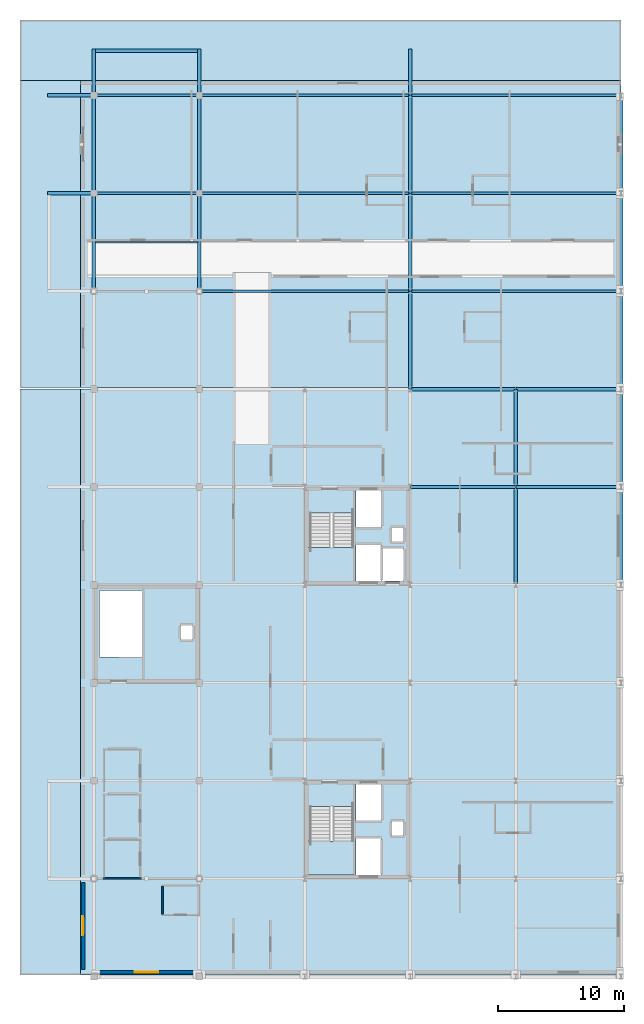
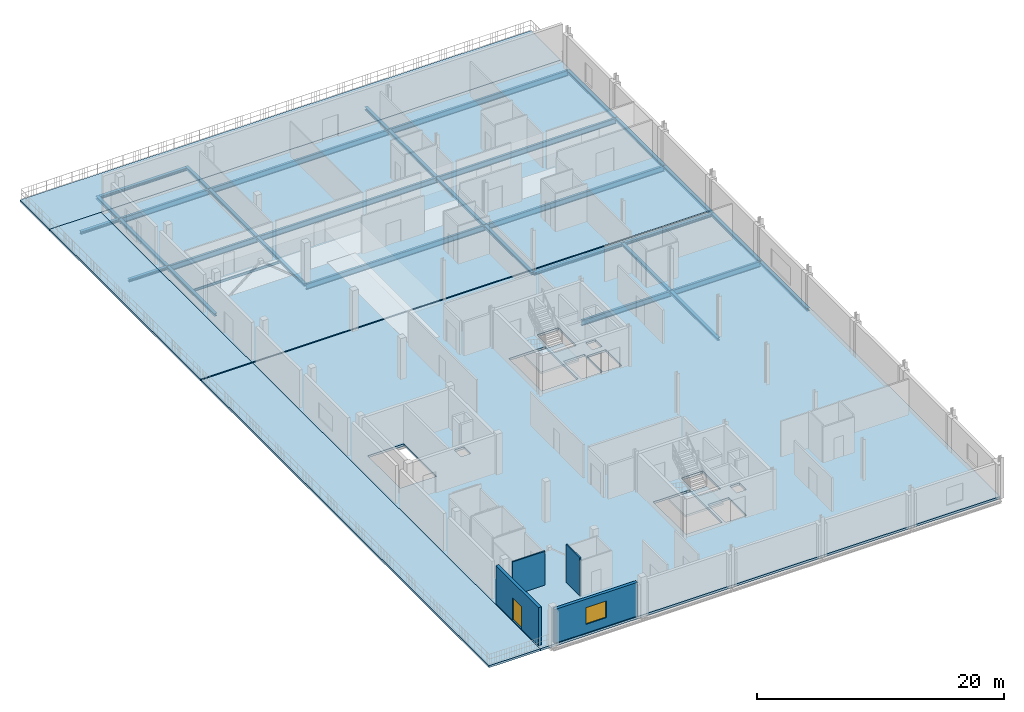
# One storey, part 6 of 16: 33 beams, 7 slabs, 4 walls, 1 door, 1 window, 2 openings, 2 elements without a shape of their own.
"""IFC4 building model written with IfcOpenShell, lengths in metres."""

from ifc_helpers import new_model, si_unit, direction, frame, frame_2d, origin, origin_2d, place, context, subcontext, project, spatial, polyline, rectangle, i_section, outline, extrude, material, layer, layer_set, material_profile, profile_set, type_object, element, fill, aggregate, save


model = new_model("IFC4")

# Units and contexts
model_context = context("Model", 3, precision=1e-05, world=origin(), true_north=direction((0.0, 1.0)))
body_context = subcontext(model_context, "Body", "Model", "MODEL_VIEW")
ifc_project = project(units=[si_unit("LENGTHUNIT", "METRE"), si_unit("AREAUNIT", "SQUARE_METRE"), si_unit("VOLUMEUNIT", "CUBIC_METRE"), si_unit("PLANEANGLEUNIT", "RADIAN"), si_unit("MASSUNIT", "GRAM", prefix="KILO")], contexts=[model_context])

# Site, building, storey
site_placement = place(None, origin())
site = spatial("IfcSite", under=ifc_project, at=site_placement, CompositionType="ELEMENT")
building_placement = place(site_placement, origin())
building = spatial("IfcBuilding", under=site, at=building_placement, Name="Nabrawat Pavilion Hospital", CompositionType="ELEMENT")
storey_placement = place(building_placement, frame((0.0, 0.0, 31.050048828125)))
storey = spatial("IfcBuildingStorey", under=building, at=storey_placement, Name="L07", CompositionType="ELEMENT", Elevation=31.050048828125)

# Beams
ifc_material_1 = material(Name="Steel S355", Category="steel")
ifc_material_profile_1 = material_profile(ifc_material_1, i_section(OverallWidth=0.2099609375, OverallDepth=0.550048828125, WebThickness=0.010986328125, FlangeThickness=0.01708984375, FilletRadius=0.02392578125, at=origin_2d()), Name="IPE 550")
ifc_profile_set_1 = profile_set([ifc_material_profile_1], Name="Steel S355")
beam_type_1 = type_object("IfcBeamType", Name="Long-Span Floor Girder IPE 550", PredefinedType="USERDEFINED", material=ifc_profile_set_1)
beam_1_placement = place(storey_placement, frame((176.419921875, 78.0, -0.4951171875), z_axis=(1.0, 0.0, 0.0), x_axis=(0.0, 1.0, 0.0)))
element("IfcBeam", 1, at=beam_1_placement, inside=storey, type_object=beam_type_1, Name="L07 Primary X Girder 2269", ObjectType="GIRDER", PredefinedType="USERDEFINED", context=body_context, shape_type="SweptSolid", body=[
    extrude(i_section(OverallWidth=0.2099609375, OverallDepth=0.550048828125, WebThickness=0.010986328125, FlangeThickness=0.01708984375, FilletRadius=0.02392578125, at=origin_2d()), origin(), (0.0, 0.0, 1.0), 8.360107421875),
])
beam_2_placement = place(storey_placement, frame((184.820068359375, 78.0, -0.4951171875), z_axis=(1.0, 0.0, 0.0), x_axis=(0.0, 1.0, 0.0)))
element("IfcBeam", 2, at=beam_2_placement, inside=storey, type_object=beam_type_1, Name="L07 Primary X Girder 2270", ObjectType="GIRDER", PredefinedType="USERDEFINED", context=body_context, shape_type="SweptSolid", body=[
    extrude(i_section(OverallWidth=0.2099609375, OverallDepth=0.550048828125, WebThickness=0.010986328125, FlangeThickness=0.01708984375, FilletRadius=0.02392578125, at=origin_2d()), origin(), (0.0, 0.0, 1.0), 8.35986328125),
])
beam_3_placement = place(storey_placement, frame((159.6201171875, 93.60009765625, -0.4951171875), z_axis=(1.0, 0.0, 0.0), x_axis=(0.0, 1.0, 0.0)))
element("IfcBeam", 3, at=beam_3_placement, inside=storey, type_object=beam_type_1, Name="L07 Primary X Girder 2277", ObjectType="GIRDER", PredefinedType="USERDEFINED", context=body_context, shape_type="SweptSolid", body=[
    extrude(i_section(OverallWidth=0.2099609375, OverallDepth=0.550048828125, WebThickness=0.010986328125, FlangeThickness=0.01708984375, FilletRadius=0.02392578125, at=origin_2d()), origin(), (0.0, 0.0, 1.0), 16.759765625),
])
beam_4_placement = place(storey_placement, frame((176.419921875, 93.60009765625, -0.4951171875), z_axis=(1.0, 0.0, 0.0), x_axis=(0.0, 1.0, 0.0)))
element("IfcBeam", 4, at=beam_4_placement, inside=storey, type_object=beam_type_1, Name="L07 Primary X Girder 2278", ObjectType="GIRDER", PredefinedType="USERDEFINED", context=body_context, shape_type="SweptSolid", body=[
    extrude(i_section(OverallWidth=0.2099609375, OverallDepth=0.550048828125, WebThickness=0.010986328125, FlangeThickness=0.01708984375, FilletRadius=0.02392578125, at=origin_2d()), origin(), (0.0, 0.0, 1.0), 16.760009765625),
])
beam_5_placement = place(storey_placement, frame((151.219970703125, 101.39990234375, -0.4951171875), z_axis=(1.0, 0.0, 0.0), x_axis=(0.0, 1.0, 0.0)))
element("IfcBeam", 5, at=beam_5_placement, inside=storey, type_object=beam_type_1, Name="L07 Primary X Girder 2279", ObjectType="GIRDER", PredefinedType="USERDEFINED", context=body_context, shape_type="SweptSolid", body=[
    extrude(i_section(OverallWidth=0.2099609375, OverallDepth=0.550048828125, WebThickness=0.010986328125, FlangeThickness=0.01708984375, FilletRadius=0.02392578125, at=origin_2d()), origin(), (0.0, 0.0, 1.0), 8.360107421875),
])
beam_6_placement = place(storey_placement, frame((159.6201171875, 101.39990234375, -0.4951171875), z_axis=(1.0, 0.0, 0.0), x_axis=(0.0, 1.0, 0.0)))
element("IfcBeam", 6, at=beam_6_placement, inside=storey, type_object=beam_type_1, Name="L07 Primary X Girder 2280", ObjectType="GIRDER", PredefinedType="USERDEFINED", context=body_context, shape_type="SweptSolid", body=[
    extrude(i_section(OverallWidth=0.2099609375, OverallDepth=0.550048828125, WebThickness=0.010986328125, FlangeThickness=0.01708984375, FilletRadius=0.02392578125, at=origin_2d()), origin(), (0.0, 0.0, 1.0), 16.759765625),
])
beam_7_placement = place(storey_placement, frame((176.419921875, 101.39990234375, -0.4951171875), z_axis=(1.0, 0.0, 0.0), x_axis=(0.0, 1.0, 0.0)))
element("IfcBeam", 7, at=beam_7_placement, inside=storey, type_object=beam_type_1, Name="L07 Primary X Girder 2281", ObjectType="GIRDER", PredefinedType="USERDEFINED", context=body_context, shape_type="SweptSolid", body=[
    extrude(i_section(OverallWidth=0.2099609375, OverallDepth=0.550048828125, WebThickness=0.010986328125, FlangeThickness=0.01708984375, FilletRadius=0.02392578125, at=origin_2d()), origin(), (0.0, 0.0, 1.0), 16.760009765625),
])
beam_8_placement = place(storey_placement, frame((151.219970703125, 109.199951171875, -0.4951171875), z_axis=(1.0, 0.0, 0.0), x_axis=(0.0, 1.0, 0.0)))
element("IfcBeam", 8, at=beam_8_placement, inside=storey, type_object=beam_type_1, Name="L07 Primary X Girder 2282", ObjectType="GIRDER", PredefinedType="USERDEFINED", context=body_context, shape_type="SweptSolid", body=[
    extrude(i_section(OverallWidth=0.2099609375, OverallDepth=0.550048828125, WebThickness=0.010986328125, FlangeThickness=0.01708984375, FilletRadius=0.02392578125, at=origin_2d()), origin(), (0.0, 0.0, 1.0), 8.360107421875),
])
beam_9_placement = place(storey_placement, frame((159.6201171875, 109.199951171875, -0.4951171875), z_axis=(1.0, 0.0, 0.0), x_axis=(0.0, 1.0, 0.0)))
element("IfcBeam", 9, at=beam_9_placement, inside=storey, type_object=beam_type_1, Name="L07 Primary X Girder 2283", ObjectType="GIRDER", PredefinedType="USERDEFINED", context=body_context, shape_type="SweptSolid", body=[
    extrude(i_section(OverallWidth=0.2099609375, OverallDepth=0.550048828125, WebThickness=0.010986328125, FlangeThickness=0.01708984375, FilletRadius=0.02392578125, at=origin_2d()), origin(), (0.0, 0.0, 1.0), 16.759765625),
])
beam_10_placement = place(storey_placement, frame((176.419921875, 109.199951171875, -0.4951171875), z_axis=(1.0, 0.0, 0.0), x_axis=(0.0, 1.0, 0.0)))
element("IfcBeam", 10, at=beam_10_placement, inside=storey, type_object=beam_type_1, Name="L07 Primary X Girder 2284", ObjectType="GIRDER", PredefinedType="USERDEFINED", context=body_context, shape_type="SweptSolid", body=[
    extrude(i_section(OverallWidth=0.2099609375, OverallDepth=0.550048828125, WebThickness=0.010986328125, FlangeThickness=0.01708984375, FilletRadius=0.02392578125, at=origin_2d()), origin(), (0.0, 0.0, 1.0), 16.760009765625),
])
ifc_material_profile_2 = material_profile(ifc_material_1, i_section(OverallWidth=0.280029296875, OverallDepth=0.27001953125, WebThickness=0.008056640625, FlangeThickness=0.012939453125, FilletRadius=0.02392578125, at=origin_2d()), Name="HEA 280")
ifc_profile_set_2 = profile_set([ifc_material_profile_2], Name="Steel S355")
beam_type_2 = type_object("IfcBeamType", Name="Top Ward Floor Beam HEA 280", PredefinedType="BEAM", material=ifc_profile_set_2)
beam_11_placement = place(storey_placement, frame((151.199951171875, 93.6201171875, -0.35498046875), z_axis=(0.0, 1.0, 0.0), x_axis=(-1.0, 0.0, 0.0)))
element("IfcBeam", 11, at=beam_11_placement, inside=storey, type_object=beam_type_2, Name="L07 Primary Y Beam 2292", PredefinedType="BEAM", context=body_context, shape_type="SweptSolid", body=[
    extrude(i_section(OverallWidth=0.280029296875, OverallDepth=0.27001953125, WebThickness=0.008056640625, FlangeThickness=0.012939453125, FilletRadius=0.02392578125, at=origin_2d()), origin(), (0.0, 0.0, 1.0), 7.759765625),
])
beam_12_placement = place(storey_placement, frame((151.199951171875, 101.419921875, -0.35498046875), z_axis=(0.0, 1.0, 0.0), x_axis=(-1.0, 0.0, 0.0)))
element("IfcBeam", 12, at=beam_12_placement, inside=storey, type_object=beam_type_2, Name="L07 Primary Y Beam 2293", PredefinedType="BEAM", context=body_context, shape_type="SweptSolid", body=[
    extrude(i_section(OverallWidth=0.280029296875, OverallDepth=0.27001953125, WebThickness=0.008056640625, FlangeThickness=0.012939453125, FilletRadius=0.02392578125, at=origin_2d()), origin(), (0.0, 0.0, 1.0), 7.760009765625),
])
beam_13_placement = place(storey_placement, frame((159.60009765625, 93.6201171875, -0.35498046875), z_axis=(0.0, 1.0, 0.0), x_axis=(-1.0, 0.0, 0.0)))
element("IfcBeam", 13, at=beam_13_placement, inside=storey, type_object=beam_type_2, Name="L07 Primary Y Beam 2301", PredefinedType="BEAM", context=body_context, shape_type="SweptSolid", body=[
    extrude(i_section(OverallWidth=0.280029296875, OverallDepth=0.27001953125, WebThickness=0.008056640625, FlangeThickness=0.012939453125, FilletRadius=0.02392578125, at=origin_2d()), origin(), (0.0, 0.0, 1.0), 7.759765625),
])
for number, where, z_axis, x_axis, name in (
    (14, (159.60009765625, 101.419921875, -0.35498046875), (0.0, 1.0, 0.0), (-1.0, 0.0, 0.0), "L07 Primary Y Beam 2302"),
    (15, (176.39990234375, 85.820068359375, -0.35498046875), (0.0, 1.0, 0.0), (-1.0, 0.0, 0.0), "L07 Primary Y Beam 2314"),
):
    element("IfcBeam", number, at=place(storey_placement, frame(where, z_axis=z_axis, x_axis=x_axis)), inside=storey, type_object=beam_type_2, Name=name, PredefinedType="BEAM", context=body_context, shape_type="SweptSolid", body=[
        extrude(i_section(OverallWidth=0.280029296875, OverallDepth=0.27001953125, WebThickness=0.008056640625, FlangeThickness=0.012939453125, FilletRadius=0.02392578125, at=origin_2d()), origin(), (0.0, 0.0, 1.0), 7.760009765625),
    ])
beam_14_placement = place(storey_placement, frame((176.39990234375, 93.6201171875, -0.35498046875), z_axis=(0.0, 1.0, 0.0), x_axis=(-1.0, 0.0, 0.0)))
element("IfcBeam", 16, at=beam_14_placement, inside=storey, type_object=beam_type_2, Name="L07 Primary Y Beam 2315", PredefinedType="BEAM", context=body_context, shape_type="SweptSolid", body=[
    extrude(i_section(OverallWidth=0.280029296875, OverallDepth=0.27001953125, WebThickness=0.008056640625, FlangeThickness=0.012939453125, FilletRadius=0.02392578125, at=origin_2d()), origin(), (0.0, 0.0, 1.0), 7.759765625),
])
for number, where, z_axis, x_axis, name in (
    (17, (176.39990234375, 101.419921875, -0.35498046875), (0.0, 1.0, 0.0), (-1.0, 0.0, 0.0), "L07 Primary Y Beam 2316"),
    (18, (184.800048828125, 70.219970703125, -0.35498046875), (0.0, 1.0, 0.0), (-1.0, 0.0, 0.0), "L07 Primary Y Beam 2321"),
    (19, (184.800048828125, 78.02001953125, -0.35498046875), (0.0, 1.0, 0.0), (-1.0, 0.0, 0.0), "L07 Primary Y Beam 2322"),
):
    element("IfcBeam", number, at=place(storey_placement, frame(where, z_axis=z_axis, x_axis=x_axis)), inside=storey, type_object=beam_type_2, Name=name, PredefinedType="BEAM", context=body_context, shape_type="SweptSolid", body=[
        extrude(i_section(OverallWidth=0.280029296875, OverallDepth=0.27001953125, WebThickness=0.008056640625, FlangeThickness=0.012939453125, FilletRadius=0.02392578125, at=origin_2d()), origin(), (0.0, 0.0, 1.0), 7.760009765625),
    ])
ifc_material_profile_3 = material_profile(ifc_material_1, i_section(OverallWidth=0.1201171875, OverallDepth=0.239990234375, WebThickness=0.006103515625, FlangeThickness=0.009765625, FilletRadius=0.014892578125, at=origin_2d()), Name="IPE 240")
ifc_profile_set_3 = profile_set([ifc_material_profile_3], Name="Steel S355")
beam_type_3 = type_object("IfcBeamType", Name="Top Ward Secondary Joist IPE 240", PredefinedType="JOIST", material=ifc_profile_set_3)
beam_15_placement = place(storey_placement, frame((151.31494140625, 97.5, -0.340087890625), z_axis=(1.0, 0.0, 0.0), x_axis=(0.0, 1.0, 0.0)))
element("IfcBeam", 20, at=beam_15_placement, inside=storey, type_object=beam_type_3, Name="L07 Secondary Composite Floor Joist 2332", PredefinedType="JOIST", context=body_context, shape_type="SweptSolid", body=[
    extrude(i_section(OverallWidth=0.1201171875, OverallDepth=0.239990234375, WebThickness=0.006103515625, FlangeThickness=0.009765625, FilletRadius=0.014892578125, at=origin_2d()), origin(), (0.0, 0.0, 1.0), 8.170166015625),
])
ifc_material_profile_4 = material_profile(ifc_material_1, i_section(OverallWidth=0.280029296875, OverallDepth=0.280029296875, WebThickness=0.010498046875, FlangeThickness=0.01806640625, FilletRadius=0.02392578125, at=origin_2d()), Name="HEB 280")
ifc_profile_set_4 = profile_set([ifc_material_profile_4], Name="Steel S355")
beam_type_4 = type_object("IfcBeamType", Name="Upper Terrace Edge Spandrel HEB 280", PredefinedType="SPANDREL", material=ifc_profile_set_4)
beam_16_placement = place(storey_placement, frame((176.419921875, 85.800048828125, -0.360107421875), z_axis=(1.0, 0.0, 0.0), x_axis=(0.0, 1.0, 0.0)))
element("IfcBeam", 21, at=beam_16_placement, inside=storey, type_object=beam_type_4, Name="L07 Primary X Girder 2274", PredefinedType="SPANDREL", context=body_context, shape_type="SweptSolid", body=[
    extrude(i_section(OverallWidth=0.280029296875, OverallDepth=0.280029296875, WebThickness=0.010498046875, FlangeThickness=0.01806640625, FilletRadius=0.02392578125, at=origin_2d()), origin(), (0.0, 0.0, 1.0), 8.360107421875),
])
beam_17_placement = place(storey_placement, frame((184.820068359375, 85.800048828125, -0.360107421875), z_axis=(1.0, 0.0, 0.0), x_axis=(0.0, 1.0, 0.0)))
element("IfcBeam", 22, at=beam_17_placement, inside=storey, type_object=beam_type_4, Name="L07 Primary X Girder 2275", PredefinedType="SPANDREL", context=body_context, shape_type="SweptSolid", body=[
    extrude(i_section(OverallWidth=0.280029296875, OverallDepth=0.280029296875, WebThickness=0.010498046875, FlangeThickness=0.01806640625, FilletRadius=0.02392578125, at=origin_2d()), origin(), (0.0, 0.0, 1.0), 8.35986328125),
])
for number, where, z_axis, x_axis, name in (
    (23, (193.199951171875, 70.219970703125, -0.360107421875), (0.0, 1.0, 0.0), (-1.0, 0.0, 0.0), "L07 Primary Y Beam 2327"),
    (24, (193.199951171875, 78.02001953125, -0.360107421875), (0.0, 1.0, 0.0), (-1.0, 0.0, 0.0), "L07 Primary Y Beam 2328"),
    (25, (193.199951171875, 85.820068359375, -0.360107421875), (0.0, 1.0, 0.0), (-1.0, 0.0, 0.0), "L07 Primary Y Beam 2329"),
):
    element("IfcBeam", number, at=place(storey_placement, frame(where, z_axis=z_axis, x_axis=x_axis)), inside=storey, type_object=beam_type_4, Name=name, PredefinedType="SPANDREL", context=body_context, shape_type="SweptSolid", body=[
        extrude(i_section(OverallWidth=0.280029296875, OverallDepth=0.280029296875, WebThickness=0.010498046875, FlangeThickness=0.01806640625, FilletRadius=0.02392578125, at=origin_2d()), origin(), (0.0, 0.0, 1.0), 7.760009765625),
    ])
beam_18_placement = place(storey_placement, frame((193.199951171875, 93.6201171875, -0.360107421875), z_axis=(0.0, 1.0, 0.0), x_axis=(-1.0, 0.0, 0.0)))
element("IfcBeam", 26, at=beam_18_placement, inside=storey, type_object=beam_type_4, Name="L07 Primary Y Beam 2330", PredefinedType="SPANDREL", context=body_context, shape_type="SweptSolid", body=[
    extrude(i_section(OverallWidth=0.280029296875, OverallDepth=0.280029296875, WebThickness=0.010498046875, FlangeThickness=0.01806640625, FilletRadius=0.02392578125, at=origin_2d()), origin(), (0.0, 0.0, 1.0), 7.759765625),
])
beam_19_placement = place(storey_placement, frame((193.199951171875, 101.419921875, -0.360107421875), z_axis=(0.0, 1.0, 0.0), x_axis=(-1.0, 0.0, 0.0)))
element("IfcBeam", 27, at=beam_19_placement, inside=storey, type_object=beam_type_4, Name="L07 Primary Y Beam 2331", PredefinedType="SPANDREL", context=body_context, shape_type="SweptSolid", body=[
    extrude(i_section(OverallWidth=0.280029296875, OverallDepth=0.280029296875, WebThickness=0.010498046875, FlangeThickness=0.01806640625, FilletRadius=0.02392578125, at=origin_2d()), origin(), (0.0, 0.0, 1.0), 7.760009765625),
])
for number, where, z_axis, x_axis, name in (
    (28, (147.5, 101.39990234375, -0.360107421875), (1.0, 0.0, 0.0), (0.0, 1.0, 0.0), "L07 Clinical Terrace Outrigger Support Beam 14"),
    (29, (147.5, 109.199951171875, -0.360107421875), (1.0, 0.0, 0.0), (0.0, 1.0, 0.0), "L07 Clinical Terrace Outrigger Support Beam 15"),
    (30, (151.199951171875, 109.219970703125, -0.360107421875), (0.0, 1.0, 0.0), (-1.0, 0.0, 0.0), "L07 Clinical Terrace Outrigger Support Beam 17"),
    (31, (159.60009765625, 109.219970703125, -0.360107421875), (0.0, 1.0, 0.0), (-1.0, 0.0, 0.0), "L07 Clinical Terrace Outrigger Support Beam 18"),
    (32, (176.39990234375, 109.219970703125, -0.360107421875), (0.0, 1.0, 0.0), (-1.0, 0.0, 0.0), "L07 Clinical Terrace Outrigger Support Beam 19"),
):
    element("IfcBeam", number, at=place(storey_placement, frame(where, z_axis=z_axis, x_axis=x_axis)), inside=storey, type_object=beam_type_4, Name=name, PredefinedType="SPANDREL", context=body_context, shape_type="SweptSolid", body=[
        extrude(i_section(OverallWidth=0.280029296875, OverallDepth=0.280029296875, WebThickness=0.010498046875, FlangeThickness=0.01806640625, FilletRadius=0.02392578125, at=origin_2d()), origin(), (0.0, 0.0, 1.0), 3.679931640625),
    ])
beam_20_placement = place(storey_placement, frame((151.340087890625, 112.75, -0.360107421875), z_axis=(1.0, 0.0, 0.0), x_axis=(0.0, 1.0, 0.0)))
element("IfcBeam", 33, at=beam_20_placement, inside=storey, type_object=beam_type_4, Name="L07 Clinical Terrace Outrigger Support Beam 20", PredefinedType="SPANDREL", context=body_context, shape_type="SweptSolid", body=[
    extrude(i_section(OverallWidth=0.280029296875, OverallDepth=0.280029296875, WebThickness=0.010498046875, FlangeThickness=0.01806640625, FilletRadius=0.02392578125, at=origin_2d()), origin(), (0.0, 0.0, 1.0), 8.119873046875),
])

# Slabs
ifc_material_2 = material(Name="Concrete C35/45", Category="concrete")
ifc_layer_1 = layer(ifc_material_2, 0.219970703125, Name="Concrete C35/45")
ifc_layer_set_1 = layer_set([ifc_layer_1], Name="Concrete C35/45")
slab_type_1 = type_object("IfcSlabType", Name="Composite Top Ward Floor Slab 220", PredefinedType="FLOOR", material=ifc_layer_set_1)
slab_1_placement = place(storey_placement, frame((0.0, 0.0, -0.219970703125)))
element("IfcSlab", 34, at=slab_1_placement, inside=storey, type_object=slab_type_1, Name="L07 Structural Floor Slab P_L07_V6_S", PredefinedType="FLOOR", context=body_context, shape_type="SweptSolid", body=[
    extrude(outline(polyline([(150.1201171875, 39.1201171875), (193.199951171875, 39.1201171875), (193.199951171875, 85.800048828125), (150.1201171875, 85.800048828125), (150.1201171875, 39.1201171875)]), holes=[polyline([(175.8798828125, 73.10009765625), (175.8798828125, 70.5), (174.1201171875, 70.5), (174.1201171875, 73.10009765625), (175.8798828125, 73.10009765625)]), polyline([(174.949951171875, 50.25), (174.949951171875, 51.35009765625), (175.85009765625, 51.35009765625), (175.85009765625, 50.25), (174.949951171875, 50.25)]), polyline([(174.949951171875, 73.64990234375), (174.949951171875, 74.75), (175.85009765625, 74.75), (175.85009765625, 73.64990234375), (174.949951171875, 73.64990234375)]), polyline([(172.10009765625, 51.39990234375), (172.10009765625, 54.300048828125), (174.10009765625, 54.300048828125), (174.10009765625, 51.39990234375), (172.10009765625, 51.39990234375)]), polyline([(172.10009765625, 74.800048828125), (172.10009765625, 77.699951171875), (174.10009765625, 77.699951171875), (174.10009765625, 74.800048828125), (172.10009765625, 74.800048828125)]), polyline([(174.06005859375, 50.0), (174.06005859375, 47.10009765625), (172.10009765625, 47.10009765625), (172.10009765625, 50.0), (174.06005859375, 50.0)]), polyline([(172.10009765625, 70.5), (172.10009765625, 73.39990234375), (174.06005859375, 73.39990234375), (174.06005859375, 70.5), (172.10009765625, 70.5)]), polyline([(171.85009765625, 47.25), (168.449951171875, 47.25), (168.449951171875, 52.530029296875), (171.85009765625, 52.530029296875), (171.85009765625, 47.25)]), polyline([(171.85009765625, 70.64990234375), (168.449951171875, 70.64990234375), (168.449951171875, 75.929931640625), (171.85009765625, 75.929931640625), (171.85009765625, 70.64990234375)]), polyline([(159.050048828125, 66.949951171875), (159.050048828125, 65.85009765625), (158.14990234375, 65.85009765625), (158.14990234375, 66.949951171875), (159.050048828125, 66.949951171875)]), polyline([(155.050048828125, 64.469970703125), (151.64990234375, 64.469970703125), (151.64990234375, 69.75), (155.050048828125, 69.75), (155.050048828125, 64.469970703125)])]), origin(), (0.0, 0.0, 1.0), 0.219970703125),
])
slab_2_placement = place(storey_placement, frame((0.0, 0.0, -0.219970703125)))
element("IfcSlab", 35, at=slab_2_placement, inside=storey, type_object=slab_type_1, Name="L07 Structural Floor Slab P_L07_V6_N", PredefinedType="FLOOR", context=body_context, shape_type="SweptSolid", body=[
    extrude(outline(polyline([(193.199951171875, 85.919921875), (193.199951171875, 110.39990234375), (150.1201171875, 110.39990234375), (150.1201171875, 85.919921875), (193.199951171875, 85.919921875)])), origin(), (0.0, 0.0, 1.0), 0.219970703125),
])
ifc_layer_2 = layer(ifc_material_2, 0.199951171875, Name="Concrete C35/45")
ifc_layer_set_2 = layer_set([ifc_layer_2], Name="Concrete C35/45")
slab_type_2 = type_object("IfcSlabType", Name="Exterior Recovery Terrace Slab 200", PredefinedType="FLOOR", material=ifc_layer_set_2)
slab_3_placement = place(storey_placement, frame((0.0, 0.0, -0.199951171875)))
element("IfcSlab", 36, at=slab_3_placement, inside=storey, type_object=slab_type_2, Name="L07 Walkable Clinical Terrace Slab T_L07_WARD_WEST_S", PredefinedType="FLOOR", context=body_context, shape_type="SweptSolid", body=[
    extrude(outline(polyline([(150.1201171875, 39.1201171875), (150.1201171875, 85.800048828125), (145.320068359375, 85.800048828125), (145.320068359375, 39.1201171875), (150.1201171875, 39.1201171875)])), origin(), (0.0, 0.0, 1.0), 0.199951171875),
])
slab_4_placement = place(storey_placement, frame((0.0, 0.0, -0.199951171875)))
element("IfcSlab", 37, at=slab_4_placement, inside=storey, type_object=slab_type_2, Name="L07 Walkable Clinical Terrace Slab T_L07_WARD_WEST_N", PredefinedType="FLOOR", context=body_context, shape_type="SweptSolid", body=[
    extrude(outline(polyline([(150.1201171875, 85.919921875), (150.1201171875, 110.39990234375), (145.320068359375, 110.39990234375), (145.320068359375, 85.919921875), (150.1201171875, 85.919921875)])), origin(), (0.0, 0.0, 1.0), 0.199951171875),
])
slab_5_placement = place(storey_placement, frame((0.0, 0.0, -0.199951171875)))
element("IfcSlab", 38, at=slab_5_placement, inside=storey, type_object=slab_type_2, Name="L07 Walkable Clinical Terrace Slab T_L07_WARD_NORTH", PredefinedType="FLOOR", context=body_context, shape_type="SweptSolid", body=[
    extrude(outline(polyline([(193.199951171875, 110.39990234375), (193.199951171875, 115.199951171875), (145.320068359375, 115.199951171875), (145.320068359375, 110.39990234375), (193.199951171875, 110.39990234375)])), origin(), (0.0, 0.0, 1.0), 0.199951171875),
])

# Stair, slab
stair_type = type_object("IfcStairType", Name="Ward Upper Dogleg Escape Stair Assembly", PredefinedType="HALF_TURN_STAIR", material=ifc_material_2)
stair_1_placement = place(storey_placement, origin())
stair_1 = element("IfcStair", 39, at=stair_1_placement, inside=storey, type_object=stair_type, Name="L07 Inpatient South Firefighting Core 5", PredefinedType="HALF_TURN_STAIR")
ifc_layer_3 = layer(ifc_material_2, 0.199951171875, Name="Concrete C35/45")
ifc_layer_set_3 = layer_set([ifc_layer_3], Name="Concrete C35/45")
slab_type_3 = type_object("IfcSlabType", Name="Reinforced Concrete Stair Half-Landing 200", PredefinedType="LANDING", material=ifc_layer_set_3)
slab_6_placement = place(storey_placement, frame((0.0, 0.0, 1.824951171875)))
slab_6 = element("IfcSlab", 40, at=slab_6_placement, type_object=slab_type_3, Name="ST-05 landing 1", PredefinedType="LANDING", context=body_context, shape_type="SweptSolid", body=[
    extrude(outline(polyline([(171.8701171875, 47.080078125), (171.8701171875, 49.780029296875), (168.280029296875, 49.780029296875), (168.280029296875, 47.080078125), (171.8701171875, 47.080078125)])), origin(), (0.0, 0.0, 1.0), 0.199951171875),
])
aggregate(stair_1, [slab_6])

stair_2_placement = place(storey_placement, origin())
stair_2 = element("IfcStair", 41, at=stair_2_placement, inside=storey, type_object=stair_type, Name="L07 Inpatient North Firefighting Core 6", PredefinedType="HALF_TURN_STAIR")
slab_7_placement = place(storey_placement, frame((0.0, 0.0, 1.824951171875)))
slab_7 = element("IfcSlab", 42, at=slab_7_placement, type_object=slab_type_3, Name="ST-06 landing 1", PredefinedType="LANDING", context=body_context, shape_type="SweptSolid", body=[
    extrude(outline(polyline([(171.8701171875, 70.47998046875), (171.8701171875, 73.179931640625), (168.280029296875, 73.179931640625), (168.280029296875, 70.47998046875), (171.8701171875, 70.47998046875)])), origin(), (0.0, 0.0, 1.0), 0.199951171875),
])
aggregate(stair_2, [slab_7])

# Walls
ifc_material_3 = material(Name="Cement Board on Steel Stud", Category="steel")
ifc_layer_4 = layer(ifc_material_3, 0.1298828125, Name="Cement Board on Steel Stud")
ifc_layer_set_4 = layer_set([ifc_layer_4], Name="Cement Board on Steel Stud")
wall_type_1 = type_object("IfcWallType", Name="En-Suite Moisture-Resistant Partition 130", PredefinedType="PARTITIONING", material=ifc_layer_set_4)
wall_1_placement = place(storey_placement, frame((151.93505859375, 46.800048828125, 0.0), z_axis=(0.0, 0.0, 1.0), x_axis=(1.0, 0.0, 0.0)))
element("IfcWall", 43, at=wall_1_placement, inside=storey, type_object=wall_type_1, Name="L07 L07 Accessible WC South Partition", PredefinedType="PARTITIONING", context=body_context, shape_type="SweptSolid", body=[
    extrude(rectangle(XDim=3.030029296875, YDim=0.1298828125, at=frame_2d((1.51513671875, 0.0))), origin(), (0.0, 0.0, 1.0), 3.33984375),
])
wall_2_placement = place(storey_placement, frame((156.68505859375, 43.97509765625, 0.0), z_axis=(0.0, 0.0, 1.0), x_axis=(0.0, 1.0, 0.0)))
element("IfcWall", 44, at=wall_2_placement, inside=storey, type_object=wall_type_1, Name="L07 En-Suite Bathroom WRD-VIP-01 West Partition", PredefinedType="PARTITIONING", context=body_context, shape_type="SweptSolid", body=[
    extrude(rectangle(XDim=2.219970703125, YDim=0.1298828125, at=frame_2d((1.10986328125, 0.0))), origin(), (0.0, 0.0, 1.0), 3.77001953125),
])

# Wall, opening, door
ifc_material_4 = material(Name="Precast concrete C40/50", Category="concrete")
ifc_layer_5 = layer(ifc_material_4, 0.280029296875, Name="Precast concrete C40/50")
ifc_layer_set_5 = layer_set([ifc_layer_5], Name="Precast concrete C40/50")
wall_type_2 = type_object("IfcWallType", Name="Insulated Precast Facade Wall 280", PredefinedType="SOLIDWALL", material=ifc_layer_set_5)
wall_3_placement = place(storey_placement, frame((150.340087890625, 39.56005859375, 0.0), z_axis=(0.0, 0.0, 1.0), x_axis=(0.0, 1.0, 0.0)))
wall_3 = element("IfcWall", 45, at=wall_3_placement, inside=storey, type_object=wall_type_2, Name="L07 Insulated Precast Facade Wall 280 416", PredefinedType="SOLIDWALL", context=body_context, shape_type="SweptSolid", body=[
    extrude(rectangle(XDim=6.9150390625, YDim=0.280029296875, at=frame_2d((3.45751953125, 0.0))), origin(), (0.0, 0.0, 1.0), 3.77001953125),
])
opening_1_placement = place(wall_3_placement, frame((2.737548828125, 0.0, 0.0)))
opening_1 = element("IfcOpeningElement", 46, at=opening_1_placement, cuts=wall_3, Name="Opening ED-TER-150", PredefinedType="OPENING", context=body_context, shape_type="SweptSolid", body=[
    extrude(rectangle(XDim=1.5, YDim=2.199951171875, at=frame_2d((0.75, 1.10009765625))), frame((0.0, 0.14990234375, 0.0), z_axis=(0.0, -1.0, 0.0), x_axis=(1.0, 0.0, 0.0)), (0.0, 0.0, 1.0), 0.300048828125),
])
ifc_material_5 = material(Name="Powder-Coated Galvanised Steel and Safety Glass", Category="steel")
door_type = type_object("IfcDoorType", Name="Clinical Recovery Terrace Double Door 1500x2200", OperationType="NOTDEFINED", PredefinedType="DOOR", material=ifc_material_5)
door_placement = place(opening_1_placement, origin())
door = element("IfcDoor", 47, at=door_placement, inside=storey, type_object=door_type, Name="L07 Clinical Recovery Terrace Door T_L07_WARD_WEST_S", OperationType="DOUBLE_DOOR_SINGLE_SWING", OverallHeight=2.199951171875, OverallWidth=1.5, PredefinedType="DOOR", context=body_context, shape_type="SweptSolid", body=[
    extrude(rectangle(XDim=1.5, YDim=2.199951171875, at=frame_2d((0.75, 1.10009765625))), frame((0.0, 0.02490234375, 0.0), z_axis=(0.0, -1.0, 0.0), x_axis=(1.0, 0.0, 0.0)), (0.0, 0.0, 1.0), 0.050048828125),
])
fill(opening_1, door)

# Wall, opening, window
wall_4_placement = place(storey_placement, frame((151.52490234375, 39.340087890625, 0.0), z_axis=(0.0, 0.0, 1.0), x_axis=(1.0, 0.0, 0.0)))
wall_4 = element("IfcWall", 48, at=wall_4_placement, inside=storey, type_object=wall_type_2, Name="L07 Insulated Precast Facade Wall 280 425", PredefinedType="SOLIDWALL", context=body_context, shape_type="SweptSolid", body=[
    extrude(rectangle(XDim=7.75, YDim=0.280029296875, at=frame_2d((3.875, 0.0))), origin(), (0.0, 0.0, 1.0), 3.33984375),
])
opening_2_placement = place(wall_4_placement, frame((2.925048828125, 0.0, 0.85009765625)))
opening_2 = element("IfcOpeningElement", 49, at=opening_2_placement, cuts=wall_4, Name="Opening WN-23", PredefinedType="OPENING", context=body_context, shape_type="SweptSolid", body=[
    extrude(rectangle(XDim=1.89990234375, YDim=1.64990234375, at=frame_2d((0.949951171875, 0.824951171875))), frame((0.0, 0.14990234375, 0.0), z_axis=(0.0, -1.0, 0.0), x_axis=(1.0, 0.0, 0.0)), (0.0, 0.0, 1.0), 0.300048828125),
])
ifc_material_6 = material(Name="Thermally Broken Aluminium and Solar Glass", Category="aluminium")
window_type = type_object("IfcWindowType", Name="Dialysis Bay Garden Window 1900x1650", PartitioningType="SINGLE_PANEL", PredefinedType="WINDOW", material=ifc_material_6)
window_placement = place(opening_2_placement, origin())
window = element("IfcWindow", 50, at=window_placement, inside=storey, type_object=window_type, Name="L07 Dialysis Bay Garden Window 1900x1650 151", OverallHeight=1.64990234375, OverallWidth=1.89990234375, PartitioningType="SINGLE_PANEL", PredefinedType="WINDOW", context=body_context, shape_type="SweptSolid", body=[
    extrude(rectangle(XDim=1.89990234375, YDim=1.64990234375, at=frame_2d((0.949951171875, 0.824951171875))), frame((0.0, 0.030029296875, 0.0), z_axis=(0.0, -1.0, 0.0), x_axis=(1.0, 0.0, 0.0)), (0.0, 0.0, 1.0), 0.06005859375),
])
fill(opening_2, window)

save(model, "model.ifc")
